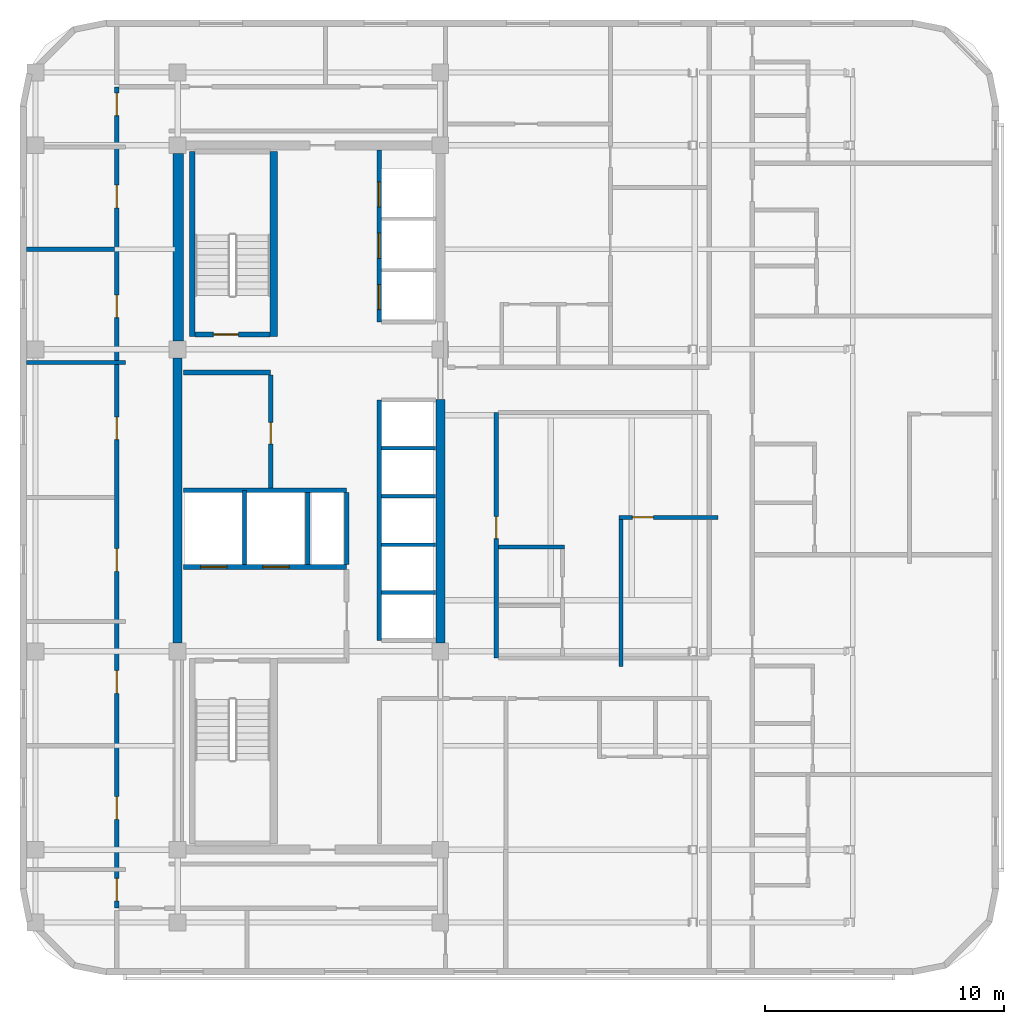
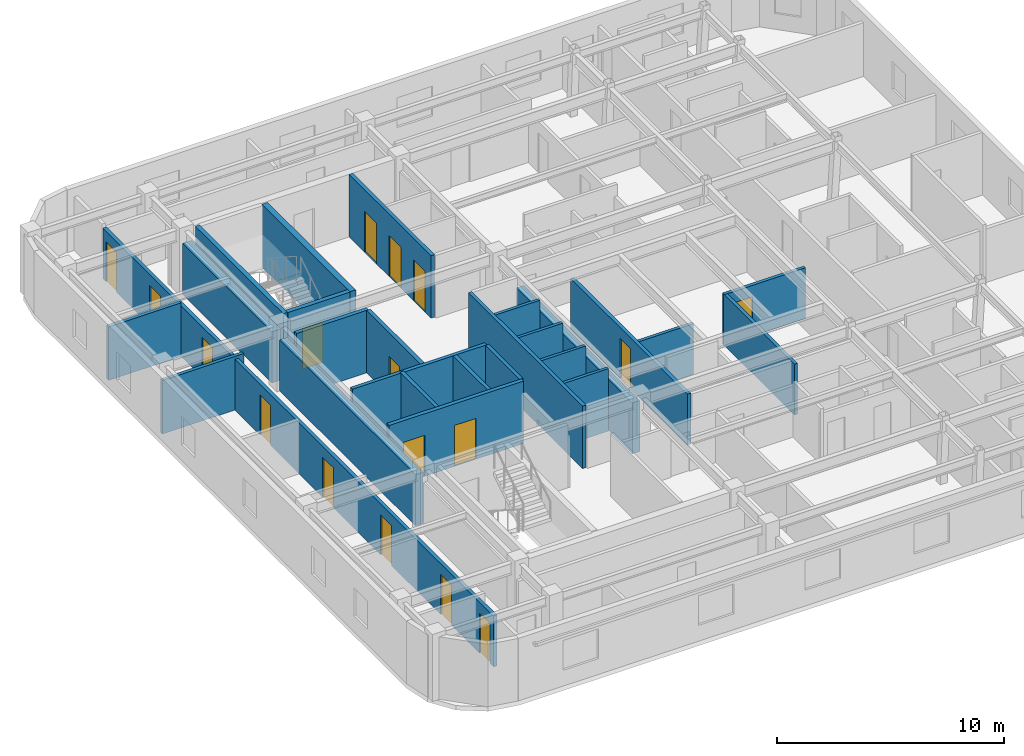
# One storey, part 4 of 10: 26 walls, 17 doors, 17 openings.
"""IFC4 building model written with IfcOpenShell, lengths in metres."""

from ifc_helpers import new_model, si_unit, direction, frame, frame_2d, origin, place, context, subcontext, project, spatial, rectangle, extrude, material, layer, layer_set, type_object, element, fill, save


model = new_model("IFC4")

# Units and contexts
model_context = context("Model", 3, precision=1e-05, world=origin(), true_north=direction((0.0, 1.0)))
body_context = subcontext(model_context, "Body", "Model", "MODEL_VIEW")
ifc_project = project(units=[si_unit("LENGTHUNIT", "METRE"), si_unit("AREAUNIT", "SQUARE_METRE"), si_unit("VOLUMEUNIT", "CUBIC_METRE"), si_unit("PLANEANGLEUNIT", "RADIAN"), si_unit("MASSUNIT", "GRAM", prefix="KILO")], contexts=[model_context])

# Site, building, storey
site_placement = place(None, origin())
site = spatial("IfcSite", under=ifc_project, at=site_placement, CompositionType="ELEMENT")
building_placement = place(site_placement, origin())
building = spatial("IfcBuilding", under=site, at=building_placement, Name="Ochreholt Gables", CompositionType="ELEMENT")
storey_placement = place(building_placement, frame((0.0, 0.0, 166.199951171875)))
storey = spatial("IfcBuildingStorey", under=building, at=storey_placement, Name="L43", CompositionType="ELEMENT", Elevation=166.199951171875)

# Walls
ifc_material_1 = material(Name="Concrete 50 MPa", Category="concrete")
ifc_layer_1 = layer(ifc_material_1, 0.3798828125, Name="Concrete 50 MPa")
ifc_layer_set_1 = layer_set([ifc_layer_1], Name="Concrete 50 MPa")
wall_type_1 = type_object("IfcWallType", Name="WALL-CSW-380", PredefinedType="SHEAR", material=ifc_layer_set_1)
wall_1_placement = place(storey_placement, frame((24.18994140625, 17.89990234375, 0.0), z_axis=(0.0, 0.0, 1.0), x_axis=(0.0, 1.0, 0.0)))
element("IfcWall", 1, at=wall_1_placement, inside=storey, type_object=wall_type_1, Name="L43 Core West Shear Wall WM", PredefinedType="SHEAR", context=body_context, shape_type="SweptSolid", body=[
    extrude(rectangle(XDim=11.9501953125, YDim=0.3798828125, at=frame_2d((5.97509765625, 0.0))), origin(), (0.0, 0.0, 1.0), 2.748046875),
])
wall_2_placement = place(storey_placement, frame((35.2099609375, 17.89990234375, 0.0), z_axis=(0.0, 0.0, 1.0), x_axis=(0.0, 1.0, 0.0)))
element("IfcWall", 2, at=wall_2_placement, inside=storey, type_object=wall_type_1, Name="L43 Core Central-East Shear Wall", PredefinedType="SHEAR", context=body_context, shape_type="SweptSolid", body=[
    extrude(rectangle(XDim=10.2001953125, YDim=0.3798828125, at=frame_2d((5.10009765625, 0.0))), origin(), (0.0, 0.0, 1.0), 2.748046875),
])
ifc_material_2 = material(Name="Concrete 60 MPa", Category="concrete")
ifc_layer_2 = layer(ifc_material_2, 0.449951171875, Name="Concrete 60 MPa")
ifc_layer_set_2 = layer_set([ifc_layer_2], Name="Concrete 60 MPa")
wall_type_2 = type_object("IfcWallType", Name="WALL-CSW-450", PredefinedType="SHEAR", material=ifc_layer_set_2)
wall_3_placement = place(storey_placement, frame((24.22509765625, 30.550048828125, 0.0), z_axis=(0.0, 0.0, 1.0), x_axis=(0.0, 1.0, 0.0)))
element("IfcWall", 3, at=wall_3_placement, inside=storey, type_object=wall_type_2, Name="L43 Core West Shear Wall WN", PredefinedType="SHEAR", context=body_context, shape_type="SweptSolid", body=[
    extrude(rectangle(XDim=7.849853515625, YDim=0.449951171875, at=frame_2d((3.9248046875, 0.0))), origin(), (0.0, 0.0, 1.0), 2.748046875),
])

# Wall, openings, doors
ifc_material_3 = material(Name="Concrete 40 MPa", Category="concrete")
ifc_layer_3 = layer(ifc_material_3, 0.199951171875, Name="Concrete 40 MPa")
ifc_layer_set_3 = layer_set([ifc_layer_3], Name="Concrete 40 MPa")
wall_type_3 = type_object("IfcWallType", Name="WALL-INT-CF200", PredefinedType="STANDARD", material=ifc_layer_set_3)
wall_4_placement = place(storey_placement, frame((24.449951171875, 21.090087890625, 0.0), z_axis=(0.0, 0.0, 1.0), x_axis=(1.0, 0.0, 0.0)))
wall_4 = element("IfcWall", 4, at=wall_4_placement, inside=storey, type_object=wall_type_3, Name="L43 Interior Wall WI-FFN-L43", PredefinedType="STANDARD", context=body_context, shape_type="SweptSolid", body=[
    extrude(rectangle(XDim=6.830078125, YDim=0.199951171875, at=frame_2d((3.4150390625, 0.0))), origin(), (0.0, 0.0, 1.0), 3.360107421875),
])
opening_1_placement = place(wall_4_placement, frame((0.719970703125, 0.0, 0.0)))
opening_1 = element("IfcOpeningElement", 5, at=opening_1_placement, cuts=wall_4, Name="Opening LD-FF", PredefinedType="OPENING", context=body_context, shape_type="SweptSolid", body=[
    extrude(rectangle(XDim=1.10009765625, YDim=2.199951171875, at=frame_2d((0.550048828125, 1.10009765625))), frame((0.0, 0.10986328125, 0.0), z_axis=(0.0, -1.0, 0.0), x_axis=(1.0, 0.0, 0.0)), (0.0, 0.0, 1.0), 0.219970703125),
])
opening_2_placement = place(wall_4_placement, frame((3.320068359375, 0.0, 0.0)))
opening_2 = element("IfcOpeningElement", 6, at=opening_2_placement, cuts=wall_4, Name="Opening LD-FF", PredefinedType="OPENING", context=body_context, shape_type="SweptSolid", body=[
    extrude(rectangle(XDim=1.10009765625, YDim=2.199951171875, at=frame_2d((0.550048828125, 1.10009765625))), frame((0.0, 0.10986328125, 0.0), z_axis=(0.0, -1.0, 0.0), x_axis=(1.0, 0.0, 0.0)), (0.0, 0.0, 1.0), 0.219970703125),
])
ifc_material_4 = material(Name="Stainless Steel", Category="steel")
door_type_1 = type_object("IfcDoorType", Name="DR-LFT-FF1100", OperationType="NOTDEFINED", PredefinedType="DOOR", material=ifc_material_4)
door_1_placement = place(opening_1_placement, origin())
door_1 = element("IfcDoor", 7, at=door_1_placement, inside=storey, type_object=door_type_1, Name="L43 Door LD-FF1-L43", OperationType="SLIDING_TO_LEFT", OverallHeight=2.199951171875, OverallWidth=1.10009765625, PredefinedType="DOOR", context=body_context, shape_type="SweptSolid", body=[
    extrude(rectangle(XDim=1.10009765625, YDim=2.199951171875, at=frame_2d((0.550048828125, 1.10009765625))), frame((0.0, 0.02490234375, 0.0), z_axis=(0.0, -1.0, 0.0), x_axis=(1.0, 0.0, 0.0)), (0.0, 0.0, 1.0), 0.050048828125),
])
fill(opening_1, door_1)
door_2_placement = place(opening_2_placement, origin())
door_2 = element("IfcDoor", 8, at=door_2_placement, inside=storey, type_object=door_type_1, Name="L43 Door LD-FF2-L43", OperationType="SLIDING_TO_LEFT", OverallHeight=2.199951171875, OverallWidth=1.10009765625, PredefinedType="DOOR", context=body_context, shape_type="SweptSolid", body=[
    extrude(rectangle(XDim=1.10009765625, YDim=2.199951171875, at=frame_2d((0.550048828125, 1.10009765625))), frame((0.0, 0.02490234375, 0.0), z_axis=(0.0, -1.0, 0.0), x_axis=(1.0, 0.0, 0.0)), (0.0, 0.0, 1.0), 0.050048828125),
])
fill(opening_2, door_2)

# Wall
wall_5_placement = place(storey_placement, frame((24.449951171875, 29.239990234375, 0.0), z_axis=(0.0, 0.0, 1.0), x_axis=(1.0, 0.0, 0.0)))
element("IfcWall", 9, at=wall_5_placement, inside=storey, type_object=wall_type_3, Name="L43 Interior Wall WI-SRVN-L43", PredefinedType="STANDARD", context=body_context, shape_type="SweptSolid", body=[
    extrude(rectangle(XDim=3.650146484375, YDim=0.199951171875, at=frame_2d((1.8251953125, 0.0))), origin(), (0.0, 0.0, 1.0), 3.360107421875),
])

# Wall, opening, door
wall_6_placement = place(storey_placement, frame((28.10009765625, 24.389892578125, 0.0), z_axis=(0.0, 0.0, 1.0), x_axis=(0.0, 1.0, 0.0)))
wall_6 = element("IfcWall", 10, at=wall_6_placement, inside=storey, type_object=wall_type_3, Name="L43 Interior Wall WI-SRVE-L43", PredefinedType="STANDARD", context=body_context, shape_type="SweptSolid", body=[
    extrude(rectangle(XDim=4.75, YDim=0.199951171875, at=frame_2d((2.375, 0.0))), origin(), (0.0, 0.0, 1.0), 3.360107421875),
])
opening_3_placement = place(wall_6_placement, frame((1.860107421875, 0.0, 0.0)))
opening_3 = element("IfcOpeningElement", 11, at=opening_3_placement, cuts=wall_6, Name="Opening D-SV1", PredefinedType="OPENING", context=body_context, shape_type="SweptSolid", body=[
    extrude(rectangle(XDim=0.89990234375, YDim=2.10009765625, at=frame_2d((0.449951171875, 1.050048828125))), frame((0.0, 0.10986328125, 0.0), z_axis=(0.0, -1.0, 0.0), x_axis=(1.0, 0.0, 0.0)), (0.0, 0.0, 1.0), 0.219970703125),
])
ifc_material_5 = material(Name="Hollow Metal Steel", Category="steel")
door_type_2 = type_object("IfcDoorType", Name="DR-INT-SRV900", OperationType="NOTDEFINED", PredefinedType="DOOR", material=ifc_material_5)
door_3_placement = place(opening_3_placement, origin())
door_3 = element("IfcDoor", 12, at=door_3_placement, inside=storey, type_object=door_type_2, Name="L43 Door D-SRV1-L43", OperationType="SINGLE_SWING_LEFT", OverallHeight=2.10009765625, OverallWidth=0.89990234375, PredefinedType="DOOR", context=body_context, shape_type="SweptSolid", body=[
    extrude(rectangle(XDim=0.89990234375, YDim=2.10009765625, at=frame_2d((0.449951171875, 1.050048828125))), frame((0.0, 0.02490234375, 0.0), z_axis=(0.0, -1.0, 0.0), x_axis=(1.0, 0.0, 0.0)), (0.0, 0.0, 1.0), 0.050048828125),
])
fill(opening_3, door_3)

ifc_material_6 = material(Name="Fire-Rated Gypsum Acoustic Partition", Category="gypsum")
ifc_layer_4 = layer(ifc_material_6, 0.179931640625, Name="Fire-Rated Gypsum Acoustic Partition")
ifc_layer_set_4 = layer_set([ifc_layer_4], Name="Fire-Rated Gypsum Acoustic Partition")
wall_type_4 = type_object("IfcWallType", Name="WALL-INT-CR180", PredefinedType="STANDARD", material=ifc_layer_set_4)
wall_7_placement = place(storey_placement, frame((37.550048828125, 17.280029296875, 0.0), z_axis=(0.0, 0.0, 1.0), x_axis=(0.0, 1.0, 0.0)))
wall_7 = element("IfcWall", 13, at=wall_7_placement, inside=storey, type_object=wall_type_4, Name="L43 Interior Wall WI-C2EM-L43", PredefinedType="STANDARD", context=body_context, shape_type="SweptSolid", body=[
    extrude(rectangle(XDim=10.280029296875, YDim=0.179931640625, at=frame_2d((5.14013671875, 0.0))), origin(), (0.0, 0.0, 1.0), 2.72998046875),
])
opening_4_placement = place(wall_7_placement, frame((5.0, 0.0, 0.0)))
opening_4 = element("IfcOpeningElement", 14, at=opening_4_placement, cuts=wall_7, Name="Opening D-UN1", PredefinedType="OPENING", context=body_context, shape_type="SweptSolid", body=[
    extrude(rectangle(XDim=0.919921875, YDim=2.14990234375, at=frame_2d((0.4599609375, 1.074951171875))), frame((0.0, 0.099853515625, 0.0), z_axis=(0.0, -1.0, 0.0), x_axis=(1.0, 0.0, 0.0)), (0.0, 0.0, 1.0), 0.199951171875),
])
ifc_material_7 = material(Name="Engineered Oak Timber", Category="wood")
door_type_3 = type_object("IfcDoorType", Name="DR-INT-UNT920", OperationType="NOTDEFINED", PredefinedType="DOOR", material=ifc_material_7)
door_4_placement = place(opening_4_placement, origin())
door_4 = element("IfcDoor", 15, at=door_4_placement, inside=storey, type_object=door_type_3, Name="L43 Door D-U-L43M1-ENT", OperationType="SINGLE_SWING_RIGHT", OverallHeight=2.14990234375, OverallWidth=0.919921875, PredefinedType="DOOR", context=body_context, shape_type="SweptSolid", body=[
    extrude(rectangle(XDim=0.919921875, YDim=2.14990234375, at=frame_2d((0.4599609375, 1.074951171875))), frame((0.0, 0.02490234375, 0.0), z_axis=(0.0, -1.0, 0.0), x_axis=(1.0, 0.0, 0.0)), (0.0, 0.0, 1.0), 0.050048828125),
])
fill(opening_4, door_4)

# Wall, openings, doors
wall_8_placement = place(storey_placement, frame((21.64990234375, 6.800048828125, 0.0), z_axis=(0.0, 0.0, 1.0), x_axis=(0.0, 1.0, 0.0)))
wall_8 = element("IfcWall", 16, at=wall_8_placement, inside=storey, type_object=wall_type_4, Name="L43 Interior Wall WI-C2WCW-L43", PredefinedType="STANDARD", context=body_context, shape_type="SweptSolid", body=[
    extrude(rectangle(XDim=34.39990234375, YDim=0.179931640625, at=frame_2d((17.199951171875, 0.0))), origin(), (0.0, 0.0, 1.0), 2.72998046875),
])
opening_5_placement = place(wall_8_placement, frame((0.300048828125, 0.0, 0.0)))
opening_5 = element("IfcOpeningElement", 17, at=opening_5_placement, cuts=wall_8, Name="Opening D-GN1", PredefinedType="OPENING", context=body_context, shape_type="SweptSolid", body=[
    extrude(rectangle(XDim=0.949951171875, YDim=2.14990234375, at=frame_2d((0.47509765625, 1.074951171875))), frame((0.0, 0.099853515625, 0.0), z_axis=(0.0, -1.0, 0.0), x_axis=(1.0, 0.0, 0.0)), (0.0, 0.0, 1.0), 0.199951171875),
])
opening_6_placement = place(wall_8_placement, frame((3.717529296875, 0.0, 0.0)))
opening_6 = element("IfcOpeningElement", 18, at=opening_6_placement, cuts=wall_8, Name="Opening D-GN1", PredefinedType="OPENING", context=body_context, shape_type="SweptSolid", body=[
    extrude(rectangle(XDim=0.949951171875, YDim=2.14990234375, at=frame_2d((0.47509765625, 1.074951171875))), frame((0.0, 0.099853515625, 0.0), z_axis=(0.0, -1.0, 0.0), x_axis=(1.0, 0.0, 0.0)), (0.0, 0.0, 1.0), 0.199951171875),
])
opening_7_placement = place(wall_8_placement, frame((8.9951171875, 0.0, 0.0)))
opening_7 = element("IfcOpeningElement", 19, at=opening_7_placement, cuts=wall_8, Name="Opening D-GN1", PredefinedType="OPENING", context=body_context, shape_type="SweptSolid", body=[
    extrude(rectangle(XDim=0.949951171875, YDim=2.14990234375, at=frame_2d((0.47509765625, 1.074951171875))), frame((0.0, 0.099853515625, 0.0), z_axis=(0.0, -1.0, 0.0), x_axis=(1.0, 0.0, 0.0)), (0.0, 0.0, 1.0), 0.199951171875),
])
opening_8_placement = place(wall_8_placement, frame((14.10498046875, 0.0, 0.0)))
opening_8 = element("IfcOpeningElement", 20, at=opening_8_placement, cuts=wall_8, Name="Opening D-GN1", PredefinedType="OPENING", context=body_context, shape_type="SweptSolid", body=[
    extrude(rectangle(XDim=0.949951171875, YDim=2.14990234375, at=frame_2d((0.47509765625, 1.074951171875))), frame((0.0, 0.099853515625, 0.0), z_axis=(0.0, -1.0, 0.0), x_axis=(1.0, 0.0, 0.0)), (0.0, 0.0, 1.0), 0.199951171875),
])
opening_9_placement = place(wall_8_placement, frame((19.6201171875, 0.0, 0.0)))
opening_9 = element("IfcOpeningElement", 21, at=opening_9_placement, cuts=wall_8, Name="Opening D-GN1", PredefinedType="OPENING", context=body_context, shape_type="SweptSolid", body=[
    extrude(rectangle(XDim=0.949951171875, YDim=2.14990234375, at=frame_2d((0.47509765625, 1.074951171875))), frame((0.0, 0.099853515625, 0.0), z_axis=(0.0, -1.0, 0.0), x_axis=(1.0, 0.0, 0.0)), (0.0, 0.0, 1.0), 0.199951171875),
])
opening_10_placement = place(wall_8_placement, frame((24.72998046875, 0.0, 0.0)))
opening_10 = element("IfcOpeningElement", 22, at=opening_10_placement, cuts=wall_8, Name="Opening D-GN1", PredefinedType="OPENING", context=body_context, shape_type="SweptSolid", body=[
    extrude(rectangle(XDim=0.949951171875, YDim=2.14990234375, at=frame_2d((0.47509765625, 1.074951171875))), frame((0.0, 0.099853515625, 0.0), z_axis=(0.0, -1.0, 0.0), x_axis=(1.0, 0.0, 0.0)), (0.0, 0.0, 1.0), 0.199951171875),
])
opening_11_placement = place(wall_8_placement, frame((29.33251953125, 0.0, 0.0)))
opening_11 = element("IfcOpeningElement", 23, at=opening_11_placement, cuts=wall_8, Name="Opening D-GN1", PredefinedType="OPENING", context=body_context, shape_type="SweptSolid", body=[
    extrude(rectangle(XDim=0.949951171875, YDim=2.14990234375, at=frame_2d((0.47509765625, 1.074951171875))), frame((0.0, 0.099853515625, 0.0), z_axis=(0.0, -1.0, 0.0), x_axis=(1.0, 0.0, 0.0)), (0.0, 0.0, 1.0), 0.199951171875),
])
opening_12_placement = place(wall_8_placement, frame((33.18994140625, 0.0, 0.0)))
opening_12 = element("IfcOpeningElement", 24, at=opening_12_placement, cuts=wall_8, Name="Opening D-GN1", PredefinedType="OPENING", context=body_context, shape_type="SweptSolid", body=[
    extrude(rectangle(XDim=0.949951171875, YDim=2.14990234375, at=frame_2d((0.47509765625, 1.074951171875))), frame((0.0, 0.099853515625, 0.0), z_axis=(0.0, -1.0, 0.0), x_axis=(1.0, 0.0, 0.0)), (0.0, 0.0, 1.0), 0.199951171875),
])
door_type_4 = type_object("IfcDoorType", Name="DR-INT-GEN950", OperationType="NOTDEFINED", PredefinedType="DOOR", material=ifc_material_7)
door_5_placement = place(opening_5_placement, origin())
door_5 = element("IfcDoor", 25, at=door_5_placement, inside=storey, type_object=door_type_4, Name="L43 Door D-U-L43W1A-ENT", OperationType="SINGLE_SWING_RIGHT", OverallHeight=2.14990234375, OverallWidth=0.949951171875, PredefinedType="DOOR", context=body_context, shape_type="SweptSolid", body=[
    extrude(rectangle(XDim=0.949951171875, YDim=2.14990234375, at=frame_2d((0.47509765625, 1.074951171875))), frame((0.0, 0.02490234375, 0.0), z_axis=(0.0, -1.0, 0.0), x_axis=(1.0, 0.0, 0.0)), (0.0, 0.0, 1.0), 0.050048828125),
])
fill(opening_5, door_5)
door_6_placement = place(opening_6_placement, origin())
door_6 = element("IfcDoor", 26, at=door_6_placement, inside=storey, type_object=door_type_4, Name="L43 Door D-U-L43W1B-ENT", OperationType="SINGLE_SWING_LEFT", OverallHeight=2.14990234375, OverallWidth=0.949951171875, PredefinedType="DOOR", context=body_context, shape_type="SweptSolid", body=[
    extrude(rectangle(XDim=0.949951171875, YDim=2.14990234375, at=frame_2d((0.47509765625, 1.074951171875))), frame((0.0, 0.02490234375, 0.0), z_axis=(0.0, -1.0, 0.0), x_axis=(1.0, 0.0, 0.0)), (0.0, 0.0, 1.0), 0.050048828125),
])
fill(opening_6, door_6)
door_7_placement = place(opening_7_placement, origin())
door_7 = element("IfcDoor", 27, at=door_7_placement, inside=storey, type_object=door_type_4, Name="L43 Door D-U-L43W2A-ENT", OperationType="SINGLE_SWING_LEFT", OverallHeight=2.14990234375, OverallWidth=0.949951171875, PredefinedType="DOOR", context=body_context, shape_type="SweptSolid", body=[
    extrude(rectangle(XDim=0.949951171875, YDim=2.14990234375, at=frame_2d((0.47509765625, 1.074951171875))), frame((0.0, 0.02490234375, 0.0), z_axis=(0.0, -1.0, 0.0), x_axis=(1.0, 0.0, 0.0)), (0.0, 0.0, 1.0), 0.050048828125),
])
fill(opening_7, door_7)
door_8_placement = place(opening_8_placement, origin())
door_8 = element("IfcDoor", 28, at=door_8_placement, inside=storey, type_object=door_type_4, Name="L43 Door D-U-L43W2B-ENT", OperationType="SINGLE_SWING_RIGHT", OverallHeight=2.14990234375, OverallWidth=0.949951171875, PredefinedType="DOOR", context=body_context, shape_type="SweptSolid", body=[
    extrude(rectangle(XDim=0.949951171875, YDim=2.14990234375, at=frame_2d((0.47509765625, 1.074951171875))), frame((0.0, 0.02490234375, 0.0), z_axis=(0.0, -1.0, 0.0), x_axis=(1.0, 0.0, 0.0)), (0.0, 0.0, 1.0), 0.050048828125),
])
fill(opening_8, door_8)
door_9_placement = place(opening_9_placement, origin())
door_9 = element("IfcDoor", 29, at=door_9_placement, inside=storey, type_object=door_type_4, Name="L43 Door D-U-L43W3A-ENT", OperationType="SINGLE_SWING_RIGHT", OverallHeight=2.14990234375, OverallWidth=0.949951171875, PredefinedType="DOOR", context=body_context, shape_type="SweptSolid", body=[
    extrude(rectangle(XDim=0.949951171875, YDim=2.14990234375, at=frame_2d((0.47509765625, 1.074951171875))), frame((0.0, 0.02490234375, 0.0), z_axis=(0.0, -1.0, 0.0), x_axis=(1.0, 0.0, 0.0)), (0.0, 0.0, 1.0), 0.050048828125),
])
fill(opening_9, door_9)
door_10_placement = place(opening_10_placement, origin())
door_10 = element("IfcDoor", 30, at=door_10_placement, inside=storey, type_object=door_type_4, Name="L43 Door D-U-L43W3B-ENT", OperationType="SINGLE_SWING_LEFT", OverallHeight=2.14990234375, OverallWidth=0.949951171875, PredefinedType="DOOR", context=body_context, shape_type="SweptSolid", body=[
    extrude(rectangle(XDim=0.949951171875, YDim=2.14990234375, at=frame_2d((0.47509765625, 1.074951171875))), frame((0.0, 0.02490234375, 0.0), z_axis=(0.0, -1.0, 0.0), x_axis=(1.0, 0.0, 0.0)), (0.0, 0.0, 1.0), 0.050048828125),
])
fill(opening_10, door_10)
door_11_placement = place(opening_11_placement, origin())
door_11 = element("IfcDoor", 31, at=door_11_placement, inside=storey, type_object=door_type_4, Name="L43 Door D-U-L43W4A-ENT", OperationType="SINGLE_SWING_LEFT", OverallHeight=2.14990234375, OverallWidth=0.949951171875, PredefinedType="DOOR", context=body_context, shape_type="SweptSolid", body=[
    extrude(rectangle(XDim=0.949951171875, YDim=2.14990234375, at=frame_2d((0.47509765625, 1.074951171875))), frame((0.0, 0.02490234375, 0.0), z_axis=(0.0, -1.0, 0.0), x_axis=(1.0, 0.0, 0.0)), (0.0, 0.0, 1.0), 0.050048828125),
])
fill(opening_11, door_11)
door_12_placement = place(opening_12_placement, origin())
door_12 = element("IfcDoor", 32, at=door_12_placement, inside=storey, type_object=door_type_4, Name="L43 Door D-U-L43W4B-ENT", OperationType="SINGLE_SWING_RIGHT", OverallHeight=2.14990234375, OverallWidth=0.949951171875, PredefinedType="DOOR", context=body_context, shape_type="SweptSolid", body=[
    extrude(rectangle(XDim=0.949951171875, YDim=2.14990234375, at=frame_2d((0.47509765625, 1.074951171875))), frame((0.0, 0.02490234375, 0.0), z_axis=(0.0, -1.0, 0.0), x_axis=(1.0, 0.0, 0.0)), (0.0, 0.0, 1.0), 0.050048828125),
])
fill(opening_12, door_12)

# Walls
ifc_material_8 = material(Name="Double-Stud Acoustic Demising Wall", Category="gypsum")
ifc_layer_5 = layer(ifc_material_8, 0.179931640625, Name="Double-Stud Acoustic Demising Wall")
ifc_layer_set_5 = layer_set([ifc_layer_5], Name="Double-Stud Acoustic Demising Wall")
wall_type_5 = type_object("IfcWallType", Name="WALL-INT-DM180", PredefinedType="PARTITIONING", material=ifc_layer_set_5)
wall_9_placement = place(storey_placement, frame((17.8798828125, 34.39990234375, 0.0), z_axis=(0.0, 0.0, 1.0), x_axis=(1.0, 0.0, 0.0)))
element("IfcWall", 33, at=wall_9_placement, inside=storey, type_object=wall_type_5, Name="L43 Interior Wall WI-C2UDW4-L43", PredefinedType="PARTITIONING", context=body_context, shape_type="SweptSolid", body=[
    extrude(rectangle(XDim=3.68017578125, YDim=0.179931640625, at=frame_2d((1.840087890625, 0.0))), origin(), (0.0, 0.0, 1.0), 2.879150390625),
])
ifc_material_9 = material(Name="Moisture-Resistant Plumbing Chase Wall", Category="gypsum")
ifc_layer_6 = layer(ifc_material_9, 0.159912109375, Name="Moisture-Resistant Plumbing Chase Wall")
ifc_layer_set_6 = layer_set([ifc_layer_6], Name="Moisture-Resistant Plumbing Chase Wall")
wall_type_6 = type_object("IfcWallType", Name="WALL-INT-PL160", PredefinedType="PLUMBINGWALL", material=ifc_layer_set_6)
wall_10_placement = place(storey_placement, frame((37.639892578125, 21.919921875, 0.0), z_axis=(0.0, 0.0, 1.0), x_axis=(1.0, 0.0, 0.0)))
element("IfcWall", 34, at=wall_10_placement, inside=storey, type_object=wall_type_6, Name="L43 Interior Wall WU-L43M1-WYN", PredefinedType="PLUMBINGWALL", context=body_context, shape_type="SweptSolid", body=[
    extrude(rectangle(XDim=2.758056640625, YDim=0.159912109375, at=frame_2d((1.37890625, 0.0))), origin(), (0.0, 0.0, 1.0), 2.72998046875),
])
ifc_material_10 = material(Name="Gypsum Acoustic Stud Partition", Category="gypsum")
ifc_layer_7 = layer(ifc_material_10, 0.1650390625, Name="Gypsum Acoustic Stud Partition")
ifc_layer_set_7 = layer_set([ifc_layer_7], Name="Gypsum Acoustic Stud Partition")
wall_type_7 = type_object("IfcWallType", Name="WALL-INT-PT165", PredefinedType="PARTITIONING", material=ifc_layer_set_7)
wall_11_placement = place(storey_placement, frame((42.77587890625, 16.919921875, 0.0), z_axis=(0.0, 0.0, 1.0), x_axis=(0.0, 1.0, 0.0)))
element("IfcWall", 35, at=wall_11_placement, inside=storey, type_object=wall_type_7, Name="L43 Interior Wall WU-L43M1-STW", PredefinedType="PARTITIONING", context=body_context, shape_type="SweptSolid", body=[
    extrude(rectangle(XDim=6.25, YDim=0.1650390625, at=frame_2d((3.125, 0.0))), origin(), (0.0, 0.0, 1.0), 2.72998046875),
])

# Wall, opening, door
wall_12_placement = place(storey_placement, frame((42.696044921875, 23.169921875, 0.0), z_axis=(0.0, 0.0, 1.0), x_axis=(1.0, 0.0, 0.0)))
wall_12 = element("IfcWall", 36, at=wall_12_placement, inside=storey, type_object=wall_type_7, Name="L43 Interior Wall WU-L43M1-STN", PredefinedType="PARTITIONING", context=body_context, shape_type="SweptSolid", body=[
    extrude(rectangle(XDim=4.1298828125, YDim=0.1650390625, at=frame_2d((2.06494140625, 0.0))), origin(), (0.0, 0.0, 1.0), 2.72998046875),
])
opening_13_placement = place(wall_12_placement, frame((0.550048828125, 0.0, 0.0)))
opening_13 = element("IfcOpeningElement", 37, at=opening_13_placement, cuts=wall_12, Name="Opening D-GN2", PredefinedType="OPENING", context=body_context, shape_type="SweptSolid", body=[
    extrude(rectangle(XDim=0.8798828125, YDim=2.1201171875, at=frame_2d((0.43994140625, 1.06005859375))), frame((0.0, 0.092529296875, 0.0), z_axis=(0.0, -1.0, 0.0), x_axis=(1.0, 0.0, 0.0)), (0.0, 0.0, 1.0), 0.18505859375),
])
door_type_5 = type_object("IfcDoorType", Name="DR-INT-GEN880", OperationType="NOTDEFINED", PredefinedType="DOOR", material=ifc_material_7)
door_13_placement = place(opening_13_placement, origin())
door_13 = element("IfcDoor", 38, at=door_13_placement, inside=storey, type_object=door_type_5, Name="L43 Door D-U-L43M1-STD", OperationType="SINGLE_SWING_LEFT", OverallHeight=2.1201171875, OverallWidth=0.8798828125, PredefinedType="DOOR", context=body_context, shape_type="SweptSolid", body=[
    extrude(rectangle(XDim=0.8798828125, YDim=2.1201171875, at=frame_2d((0.43994140625, 1.06005859375))), frame((0.0, 0.02490234375, 0.0), z_axis=(0.0, -1.0, 0.0), x_axis=(1.0, 0.0, 0.0)), (0.0, 0.0, 1.0), 0.050048828125),
])
fill(opening_13, door_13)

# Walls
wall_13_placement = place(storey_placement, frame((17.8798828125, 29.64990234375, 0.0), z_axis=(0.0, 0.0, 1.0), x_axis=(1.0, 0.0, 0.0)))
element("IfcWall", 39, at=wall_13_placement, inside=storey, type_object=wall_type_7, Name="L43 Interior Wall WU-L43W3-SDV", PredefinedType="PARTITIONING", context=body_context, shape_type="SweptSolid", body=[
    extrude(rectangle(XDim=4.130126953125, YDim=0.1650390625, at=frame_2d((2.06494140625, 0.0))), origin(), (0.0, 0.0, 1.0), 2.879150390625),
])
ifc_material_11 = material(Name="Gypsum Shaftliner and Steel Stud", Category="steel")
ifc_layer_8 = layer(ifc_material_11, 0.14990234375, Name="Gypsum Shaftliner and Steel Stud")
ifc_layer_set_8 = layer_set([ifc_layer_8], Name="Gypsum Shaftliner and Steel Stud")
wall_type_8 = type_object("IfcWallType", Name="WALL-INT-SH150", PredefinedType="STANDARD", material=ifc_layer_set_8)
for number, where, z_axis, x_axis, name in (
    (40, (32.739990234375, 20.02001953125, 0.0), (0.0, 0.0, 1.0), (1.0, 0.0, 0.0), "L43 Interior Wall WI-LFHE-DH1-L43"),
    (41, (32.739990234375, 22.02001953125, 0.0), (0.0, 0.0, 1.0), (1.0, 0.0, 0.0), "L43 Interior Wall WI-LFHE-DH2-L43"),
    (42, (32.739990234375, 24.050048828125, 0.0), (0.0, 0.0, 1.0), (1.0, 0.0, 0.0), "L43 Interior Wall WI-LFHE-DHE-L43"),
    (43, (32.739990234375, 26.070068359375, 0.0), (0.0, 0.0, 1.0), (1.0, 0.0, 0.0), "L43 Interior Wall WI-LFHE-DEX1-L43"),
):
    element("IfcWall", number, at=place(storey_placement, frame(where, z_axis=z_axis, x_axis=x_axis)), inside=storey, type_object=wall_type_8, Name=name, PredefinedType="STANDARD", context=body_context, shape_type="SweptSolid", body=[
        extrude(rectangle(XDim=2.260009765625, YDim=0.14990234375, at=frame_2d((1.1298828125, 0.0))), origin(), (0.0, 0.0, 1.0), 3.360107421875),
    ])
ifc_layer_9 = layer(ifc_material_11, 0.179931640625, Name="Gypsum Shaftliner and Steel Stud")
ifc_layer_set_9 = layer_set([ifc_layer_9], Name="Gypsum Shaftliner and Steel Stud")
wall_type_9 = type_object("IfcWallType", Name="WALL-INT-SH180", PredefinedType="STANDARD", material=ifc_layer_set_9)
wall_14_placement = place(storey_placement, frame((27.0, 21.18994140625, 0.0), z_axis=(0.0, 0.0, 1.0), x_axis=(0.0, 1.0, 0.0)))
element("IfcWall", 44, at=wall_14_placement, inside=storey, type_object=wall_type_9, Name="L43 Interior Wall WI-FFDIV-L43", PredefinedType="STANDARD", context=body_context, shape_type="SweptSolid", body=[
    extrude(rectangle(XDim=3.110107421875, YDim=0.179931640625, at=frame_2d((1.55517578125, 0.0))), origin(), (0.0, 0.0, 1.0), 3.360107421875),
])
wall_15_placement = place(storey_placement, frame((24.449951171875, 24.300048828125, 0.0), z_axis=(0.0, 0.0, 1.0), x_axis=(1.0, 0.0, 0.0)))
element("IfcWall", 45, at=wall_15_placement, inside=storey, type_object=wall_type_9, Name="L43 Interior Wall WI-FFBK-L43", PredefinedType="STANDARD", context=body_context, shape_type="SweptSolid", body=[
    extrude(rectangle(XDim=6.830078125, YDim=0.179931640625, at=frame_2d((3.4150390625, 0.0))), origin(), (0.0, 0.0, 1.0), 3.360107421875),
])
for number, where, z_axis, x_axis, name in (
    (46, (29.64990234375, 21.18994140625, 0.0), (0.0, 0.0, 1.0), (0.0, 1.0, 0.0), "L43 Interior Wall WI-FFSH-L43"),
    (47, (31.280029296875, 21.18994140625, 0.0), (0.0, 0.0, 1.0), (0.0, 1.0, 0.0), "L43 Interior Wall WI-RSE-L43"),
):
    element("IfcWall", number, at=place(storey_placement, frame(where, z_axis=z_axis, x_axis=x_axis)), inside=storey, type_object=wall_type_9, Name=name, PredefinedType="STANDARD", context=body_context, shape_type="SweptSolid", body=[
        extrude(rectangle(XDim=3.02001953125, YDim=0.179931640625, at=frame_2d((1.510009765625, 0.0))), origin(), (0.0, 0.0, 1.0), 3.360107421875),
    ])
wall_16_placement = place(storey_placement, frame((32.64990234375, 18.02001953125, 0.0), z_axis=(0.0, 0.0, 1.0), x_axis=(0.0, 1.0, 0.0)))
element("IfcWall", 48, at=wall_16_placement, inside=storey, type_object=wall_type_9, Name="L43 Interior Wall WI-LFHE-FR-L43", PredefinedType="STANDARD", context=body_context, shape_type="SweptSolid", body=[
    extrude(rectangle(XDim=10.06005859375, YDim=0.179931640625, at=frame_2d((5.030029296875, 0.0))), origin(), (0.0, 0.0, 1.0), 3.360107421875),
])

# Wall, openings, doors
wall_17_placement = place(storey_placement, frame((32.64990234375, 31.35009765625, 0.0), z_axis=(0.0, 0.0, 1.0), x_axis=(0.0, 1.0, 0.0)))
wall_17 = element("IfcWall", 49, at=wall_17_placement, inside=storey, type_object=wall_type_9, Name="L43 Interior Wall WI-LFM-FR-L43", PredefinedType="STANDARD", context=body_context, shape_type="SweptSolid", body=[
    extrude(rectangle(XDim=7.2099609375, YDim=0.179931640625, at=frame_2d((3.60498046875, 0.0))), origin(), (0.0, 0.0, 1.0), 3.360107421875),
])
opening_14_placement = place(wall_17_placement, frame((0.52001953125, 0.0, 0.0)))
opening_14 = element("IfcOpeningElement", 50, at=opening_14_placement, cuts=wall_17, Name="Opening LD-PX", PredefinedType="OPENING", context=body_context, shape_type="SweptSolid", body=[
    extrude(rectangle(XDim=1.050048828125, YDim=2.199951171875, at=frame_2d((0.52490234375, 1.10009765625))), frame((0.0, 0.099853515625, 0.0), z_axis=(0.0, -1.0, 0.0), x_axis=(1.0, 0.0, 0.0)), (0.0, 0.0, 1.0), 0.199951171875),
])
opening_15_placement = place(wall_17_placement, frame((2.669921875, 0.0, 0.0)))
opening_15 = element("IfcOpeningElement", 51, at=opening_15_placement, cuts=wall_17, Name="Opening LD-PX", PredefinedType="OPENING", context=body_context, shape_type="SweptSolid", body=[
    extrude(rectangle(XDim=1.050048828125, YDim=2.199951171875, at=frame_2d((0.52490234375, 1.10009765625))), frame((0.0, 0.099853515625, 0.0), z_axis=(0.0, -1.0, 0.0), x_axis=(1.0, 0.0, 0.0)), (0.0, 0.0, 1.0), 0.199951171875),
])
opening_16_placement = place(wall_17_placement, frame((4.820068359375, 0.0, 0.0)))
opening_16 = element("IfcOpeningElement", 52, at=opening_16_placement, cuts=wall_17, Name="Opening LD-PX", PredefinedType="OPENING", context=body_context, shape_type="SweptSolid", body=[
    extrude(rectangle(XDim=1.050048828125, YDim=2.199951171875, at=frame_2d((0.52490234375, 1.10009765625))), frame((0.0, 0.099853515625, 0.0), z_axis=(0.0, -1.0, 0.0), x_axis=(1.0, 0.0, 0.0)), (0.0, 0.0, 1.0), 0.199951171875),
])
door_type_6 = type_object("IfcDoorType", Name="DR-LFT-PX1050", OperationType="NOTDEFINED", PredefinedType="DOOR", material=ifc_material_4)
door_14_placement = place(opening_14_placement, origin())
door_14 = element("IfcDoor", 53, at=door_14_placement, inside=storey, type_object=door_type_6, Name="L43 Door LD-M1-L43", OperationType="SLIDING_TO_LEFT", OverallHeight=2.199951171875, OverallWidth=1.050048828125, PredefinedType="DOOR", context=body_context, shape_type="SweptSolid", body=[
    extrude(rectangle(XDim=1.050048828125, YDim=2.199951171875, at=frame_2d((0.52490234375, 1.10009765625))), frame((0.0, 0.02490234375, 0.0), z_axis=(0.0, -1.0, 0.0), x_axis=(1.0, 0.0, 0.0)), (0.0, 0.0, 1.0), 0.050048828125),
])
fill(opening_14, door_14)
door_15_placement = place(opening_15_placement, origin())
door_15 = element("IfcDoor", 54, at=door_15_placement, inside=storey, type_object=door_type_6, Name="L43 Door LD-M2-L43", OperationType="SLIDING_TO_LEFT", OverallHeight=2.199951171875, OverallWidth=1.050048828125, PredefinedType="DOOR", context=body_context, shape_type="SweptSolid", body=[
    extrude(rectangle(XDim=1.050048828125, YDim=2.199951171875, at=frame_2d((0.52490234375, 1.10009765625))), frame((0.0, 0.02490234375, 0.0), z_axis=(0.0, -1.0, 0.0), x_axis=(1.0, 0.0, 0.0)), (0.0, 0.0, 1.0), 0.050048828125),
])
fill(opening_15, door_15)
door_16_placement = place(opening_16_placement, origin())
door_16 = element("IfcDoor", 55, at=door_16_placement, inside=storey, type_object=door_type_6, Name="L43 Door LD-M3-L43", OperationType="SLIDING_TO_LEFT", OverallHeight=2.199951171875, OverallWidth=1.050048828125, PredefinedType="DOOR", context=body_context, shape_type="SweptSolid", body=[
    extrude(rectangle(XDim=1.050048828125, YDim=2.199951171875, at=frame_2d((0.52490234375, 1.10009765625))), frame((0.0, 0.02490234375, 0.0), z_axis=(0.0, -1.0, 0.0), x_axis=(1.0, 0.0, 0.0)), (0.0, 0.0, 1.0), 0.050048828125),
])
fill(opening_16, door_16)

# Walls
ifc_layer_10 = layer(ifc_material_2, 0.300048828125, Name="Concrete 60 MPa")
ifc_layer_set_10 = layer_set([ifc_layer_10], Name="Concrete 60 MPa")
wall_type_10 = type_object("IfcWallType", Name="WALL-SPN-300", PredefinedType="SHEAR", material=ifc_layer_set_10)
wall_18_placement = place(storey_placement, frame((28.22998046875, 30.739990234375, 0.0), z_axis=(0.0, 0.0, 1.0), x_axis=(0.0, 1.0, 0.0)))
element("IfcWall", 56, at=wall_18_placement, inside=storey, type_object=wall_type_10, Name="L43 Core North Spine Shear Wall", PredefinedType="SHEAR", context=body_context, shape_type="SweptSolid", body=[
    extrude(rectangle(XDim=7.760009765625, YDim=0.300048828125, at=frame_2d((3.8798828125, 0.0))), origin(), (0.0, 0.0, 1.0), 3.360107421875),
])
ifc_layer_11 = layer(ifc_material_1, 0.219970703125, Name="Concrete 50 MPa")
ifc_layer_set_11 = layer_set([ifc_layer_11], Name="Concrete 50 MPa")
wall_type_11 = type_object("IfcWallType", Name="WALL-STW-220", PredefinedType="SHEAR", material=ifc_layer_set_11)
wall_19_placement = place(storey_placement, frame((24.81005859375, 30.739990234375, 0.0), z_axis=(0.0, 0.0, 1.0), x_axis=(0.0, 1.0, 0.0)))
element("IfcWall", 57, at=wall_19_placement, inside=storey, type_object=wall_type_11, Name="L43 Exit Stair 2 West Wall", PredefinedType="SHEAR", context=body_context, shape_type="SweptSolid", body=[
    extrude(rectangle(XDim=7.760009765625, YDim=0.219970703125, at=frame_2d((3.8798828125, 0.0))), origin(), (0.0, 0.0, 1.0), 3.360107421875),
])

# Wall, opening, door
wall_20_placement = place(storey_placement, frame((24.919921875, 30.830078125, 0.0), z_axis=(0.0, 0.0, 1.0), x_axis=(1.0, 0.0, 0.0)))
wall_20 = element("IfcWall", 58, at=wall_20_placement, inside=storey, type_object=wall_type_11, Name="L43 Exit Stair 2 South Wall", PredefinedType="SHEAR", context=body_context, shape_type="SweptSolid", body=[
    extrude(rectangle(XDim=3.16015625, YDim=0.219970703125, at=frame_2d((1.580078125, 0.0))), origin(), (0.0, 0.0, 1.0), 3.360107421875),
])
opening_17_placement = place(wall_20_placement, frame((0.780029296875, 0.0, 0.0)))
opening_17 = element("IfcOpeningElement", 59, at=opening_17_placement, cuts=wall_20, Name="Opening D-STC", PredefinedType="OPENING", context=body_context, shape_type="SweptSolid", body=[
    extrude(rectangle(XDim=1.050048828125, YDim=2.14990234375, at=frame_2d((0.52490234375, 1.074951171875))), frame((0.0, 0.119873046875, 0.0), z_axis=(0.0, -1.0, 0.0), x_axis=(1.0, 0.0, 0.0)), (0.0, 0.0, 1.0), 0.239990234375),
])
door_type_7 = type_object("IfcDoorType", Name="DR-INT-ST1050", OperationType="NOTDEFINED", PredefinedType="DOOR", material=ifc_material_5)
door_17_placement = place(opening_17_placement, origin())
door_17 = element("IfcDoor", 60, at=door_17_placement, inside=storey, type_object=door_type_7, Name="L43 Door D-ST2-L43", OperationType="SINGLE_SWING_RIGHT", OverallHeight=2.14990234375, OverallWidth=1.050048828125, PredefinedType="DOOR", context=body_context, shape_type="SweptSolid", body=[
    extrude(rectangle(XDim=1.050048828125, YDim=2.14990234375, at=frame_2d((0.52490234375, 1.074951171875))), frame((0.0, 0.02490234375, 0.0), z_axis=(0.0, -1.0, 0.0), x_axis=(1.0, 0.0, 0.0)), (0.0, 0.0, 1.0), 0.050048828125),
])
fill(opening_17, door_17)

save(model, "model.ifc")
